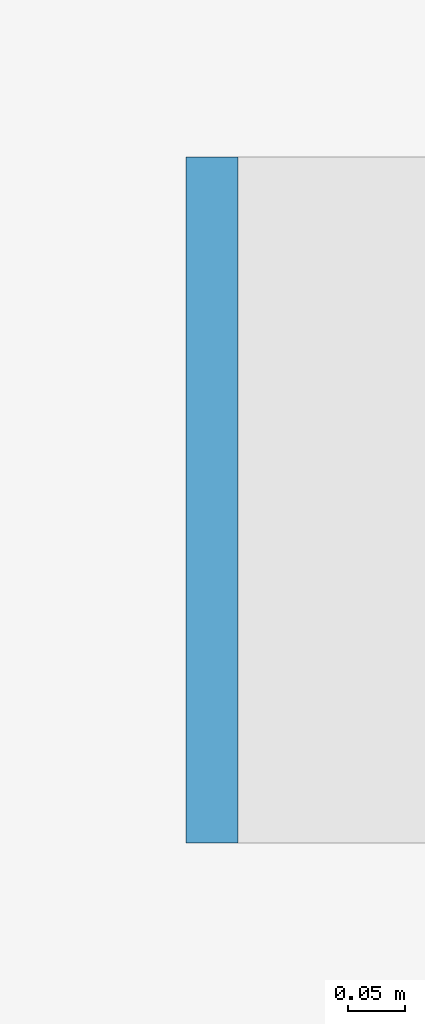
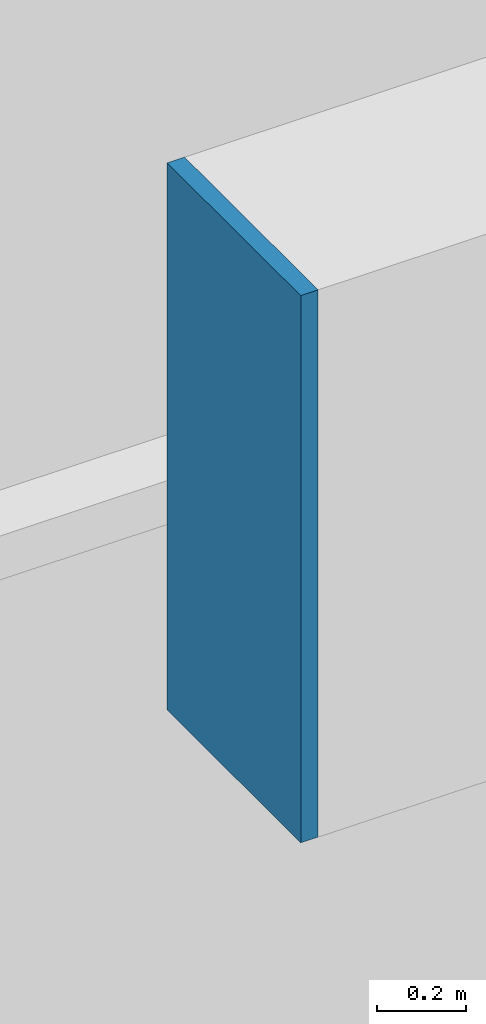
# One storey, part 22 of 33: 1 discrete accessory.
"""IFC4 building model written with IfcOpenShell, lengths in metres."""

import ifcopenshell
import ifcopenshell.guid

model = None  # the IFC model being written
_history = None  # IfcOwnerHistory: only IFC2X3 demands one
_inside = {}  # id of a spatial element -> (the spatial element, [elements in it])
_under = {}  # id of a project, library or spatial element -> (it, [spatial elements below it])
_declared = {}  # id of a project -> (the project, [libraries it declares])
_typed = {}  # id of a type object -> (the type object, [elements of that type])
_made_of = {}  # id of a material, layer set ... -> (it, [elements and type objects made of it])


def new_model(schema):
    """Start an empty IFC model of exactly this schema.

    Asked for "IFC4X3", IfcOpenShell would pick the latest addendum, in which some entities
    have other attributes; the version numbers below select the first issue.
    IFC2X3 requires an IfcOwnerHistory on every rooted entity: one is made here for all.
    """
    global model, _history
    if schema == "IFC4X3":
        model = ifcopenshell.file(schema_version=(4, 3, 0, 0))
    else:
        model = ifcopenshell.file(schema=schema)
    _inside.clear()
    _under.clear()
    _declared.clear()
    _typed.clear()
    _made_of.clear()
    _history = None
    if model.schema == "IFC2X3":
        org = make("IfcOrganization", Name="unknown")
        user = make(
            "IfcPersonAndOrganization",
            ThePerson=make("IfcPerson", FamilyName="unknown"),
            TheOrganization=org,
        )
        app = make(
            "IfcApplication",
            ApplicationDeveloper=org,
            Version="unknown",
            ApplicationFullName="unknown",
            ApplicationIdentifier="unknown",
        )
        _history = make(
            "IfcOwnerHistory",
            OwningUser=user,
            OwningApplication=app,
            ChangeAction="ADDED",
            CreationDate=0,
        )
    return model


def make(cls, **values):
    """One entity of the class cls with the attributes given. An attribute that is None is left unset."""
    return model.create_entity(
        cls, **{name: value for name, value in values.items() if value is not None}
    )


def rooted(cls, **values):
    """An entity with a GlobalId (a new one), such as an element, a storey or a relation."""
    return make(cls, GlobalId=ifcopenshell.guid.new(), OwnerHistory=_history, **values)


def si_unit(unit_type, name, prefix=None):
    """IfcSIUnit, for example si_unit("LENGTHUNIT", "METRE", prefix="MILLI")."""
    return make("IfcSIUnit", UnitType=unit_type, Prefix=prefix, Name=name)


def assignment(units):
    """IfcUnitAssignment: the units of a project."""
    return None if units is None else make("IfcUnitAssignment", Units=units)


def point(xyz):
    """IfcCartesianPoint."""
    return None if xyz is None else make("IfcCartesianPoint", Coordinates=xyz)


def direction(xyz):
    """IfcDirection."""
    return None if xyz is None else make("IfcDirection", DirectionRatios=xyz)


def frame(location, z_axis=None, x_axis=None):
    """IfcAxis2Placement3D, a coordinate frame: its origin and axes. An axis left out is left unset."""
    return make(
        "IfcAxis2Placement3D",
        Location=point(location),
        Axis=direction(z_axis),
        RefDirection=direction(x_axis),
    )


def frame_2d(location, x_axis=None):
    """IfcAxis2Placement2D, a coordinate frame in the plane: its origin and x axis."""
    return make(
        "IfcAxis2Placement2D", Location=point(location), RefDirection=direction(x_axis)
    )


def origin():
    """The frame at (0, 0, 0) with its axes left unset."""
    return frame((0.0, 0.0, 0.0))


def origin_2d():
    """The frame at (0, 0) in the plane with its x axis left unset."""
    return frame_2d((0.0, 0.0))


def place(relative_to, where):
    """IfcLocalPlacement: puts the frame where relative to a parent placement (None: the world)."""
    return make(
        "IfcLocalPlacement", PlacementRelTo=relative_to, RelativePlacement=where
    )


def context(
    kind, dimensions, precision=None, world=None, true_north=None, identifier=None
):
    """IfcGeometricRepresentationContext, for example the 3D "Model" context."""
    return make(
        "IfcGeometricRepresentationContext",
        ContextIdentifier=identifier,
        ContextType=kind,
        CoordinateSpaceDimension=dimensions,
        Precision=precision,
        WorldCoordinateSystem=world,
        TrueNorth=true_north,
    )


def subcontext(parent, identifier, kind, view, scale=None):
    """IfcGeometricRepresentationSubContext, for example "Body" below "Model"."""
    return make(
        "IfcGeometricRepresentationSubContext",
        ContextIdentifier=identifier,
        ContextType=kind,
        ParentContext=parent,
        TargetScale=scale,
        TargetView=view,
    )


def project(units=None, contexts=None):
    """IfcProject with its units and contexts."""
    return rooted(
        "IfcProject",
        Name="project",
        RepresentationContexts=contexts,
        UnitsInContext=assignment(units),
    )


def spatial(cls, under=None, at=None, **own):
    """A site, building, storey or space (cls), placed at a placement, below another one or the project."""
    s = rooted(cls, ObjectPlacement=at, **own)
    if under is not None:
        _under.setdefault(under.id(), (under, []))[1].append(s)
    return s


def profile(cls, at=None, kind="AREA", **sizes):
    """A parametric profile (cls). Its sizes go by their IFC names, for example OverallWidth=200.0."""
    return make(cls, ProfileType=kind, Position=at, **sizes)


def rectangle(**sizes):
    """IfcRectangleProfileDef."""
    return profile("IfcRectangleProfileDef", **sizes)


def extrude(swept, where, along, depth):
    """IfcExtrudedAreaSolid: the profile swept, set in the frame where, extruded along a direction by depth."""
    return make(
        "IfcExtrudedAreaSolid",
        SweptArea=swept,
        Position=where,
        ExtrudedDirection=direction(along),
        Depth=depth,
    )


def shape(context_of_items, identifier, shape_type, items):
    """IfcShapeRepresentation: the items that make up one representation, for example the "Body"."""
    return make(
        "IfcShapeRepresentation",
        ContextOfItems=context_of_items,
        RepresentationIdentifier=identifier,
        RepresentationType=shape_type,
        Items=items,
    )


def material(Name=None, Category=None):
    """IfcMaterial."""
    return make("IfcMaterial", Name=Name, Category=Category)


def material_profile(
    of_material, cross_section, Name=None, Category=None, Priority=None
):
    """IfcMaterialProfile: a cross section and its material."""
    return make(
        "IfcMaterialProfile",
        Name=Name,
        Material=of_material,
        Profile=cross_section,
        Priority=Priority,
        Category=Category,
    )


def profile_set(profiles, Name=None, composite=None):
    """IfcMaterialProfileSet."""
    return make(
        "IfcMaterialProfileSet",
        Name=Name,
        MaterialProfiles=profiles,
        CompositeProfile=composite,
    )


def made_of(thing, what):
    """Note that an element or type object is made of a material, layer set ...; save() writes the relation."""
    if what is not None:
        _made_of.setdefault(what.id(), (what, []))[1].append(thing)
    return thing


def type_object(cls, material=None, **own):
    """A type object (cls), such as IfcWallType, which elements share."""
    return made_of(rooted(cls, **own), material)


def element(
    cls,
    number,
    at=None,
    inside=None,
    cuts=None,
    type_object=None,
    material=None,
    context=None,
    identifier="Body",
    shape_type=None,
    held_by="IfcProductDefinitionShape",
    body=None,
    shapes=None,
    **own,
):
    """One element of the class cls, such as IfcWall. Its Tag is "e" and its number.

    at: its placement. inside: the storey or other place that contains it. cuts: it is an
    opening in that element (IfcRelVoidsElement). A single representation is given by context,
    identifier, shape_type and body (its items); several are given by shapes. held_by: the class
    of the entity that holds the representations. save() writes the other relations.
    """
    e = rooted(cls, Tag="e%d" % number, ObjectPlacement=at, **own)
    if body is not None:
        shapes = [shape(context, identifier, shape_type, body)]
    if shapes is not None:
        e.Representation = make(held_by, Representations=shapes)
    if inside is not None:
        _inside.setdefault(inside.id(), (inside, []))[1].append(e)
    if cuts is not None:
        rooted(
            "IfcRelVoidsElement", RelatingBuildingElement=cuts, RelatedOpeningElement=e
        )
    if type_object is not None:
        _typed.setdefault(type_object.id(), (type_object, []))[1].append(e)
    return made_of(e, material)


def aggregate(whole, parts):
    """IfcRelAggregates: a whole, such as a stair, and the parts it consists of."""
    return rooted("IfcRelAggregates", RelatingObject=whole, RelatedObjects=parts)


def save(model, path):
    """Write the relations noted so far, then the file.

    IfcRelAggregates (storeys below a building ...), IfcRelContainedInSpatialStructure (elements
    in a storey), IfcRelDefinesByType, IfcRelAssociatesMaterial and IfcRelDeclares: one each for
    every whole, place, type object, material and project.
    """
    for whole, parts in _under.values():
        aggregate(whole, parts)
    for where, things in _inside.values():
        rooted(
            "IfcRelContainedInSpatialStructure",
            RelatedElements=things,
            RelatingStructure=where,
        )
    for kind, things in _typed.values():
        rooted("IfcRelDefinesByType", RelatedObjects=things, RelatingType=kind)
    for what, things in _made_of.values():
        rooted("IfcRelAssociatesMaterial", RelatedObjects=things, RelatingMaterial=what)
    for by, libraries in _declared.values():
        rooted("IfcRelDeclares", RelatingContext=by, RelatedDefinitions=libraries)
    model.write(path)


model = new_model("IFC4")

# Units and contexts
model_context = context("Model", 3, precision=1e-05, world=origin(), true_north=direction((0.0, 1.0)))
body_context = subcontext(model_context, "Body", "Model", "MODEL_VIEW")
ifc_project = project(units=[si_unit("LENGTHUNIT", "METRE"), si_unit("AREAUNIT", "SQUARE_METRE"), si_unit("VOLUMEUNIT", "CUBIC_METRE"), si_unit("PLANEANGLEUNIT", "RADIAN"), si_unit("MASSUNIT", "GRAM", prefix="KILO")], contexts=[model_context])

# Site, building, storey
site_placement = place(None, origin())
site = spatial("IfcSite", under=ifc_project, at=site_placement, CompositionType="ELEMENT")
building_placement = place(site_placement, origin())
building = spatial("IfcBuilding", under=site, at=building_placement, Name="Hakoniwa Tower and Hamabe Station Hall", CompositionType="ELEMENT")
storey_placement = place(building_placement, frame((0.0, 0.0, 175.800048828125)))
storey = spatial("IfcBuildingStorey", under=building, at=storey_placement, Name="L50", CompositionType="ELEMENT", Elevation=175.800048828125)

# Discrete accessory
ifc_material = material(Name="Steel SN490C", Category="steel")
ifc_material_profile = material_profile(ifc_material, rectangle(XDim=0.60009765625, YDim=1.5, at=origin_2d()), Name="END CAP PLATE BX-1500x600x55")
ifc_profile_set = profile_set([ifc_material_profile], Name="Steel SN490C")
discrete_accessory_type = type_object("IfcDiscreteAccessoryType", Name="END CAP PLATE BX-1500x600x55", PredefinedType="USERDEFINED", material=ifc_profile_set)
discrete_accessory_placement = place(storey_placement, frame((-36.923095703125, 18.72802734375, 3.349853515625), z_axis=(1.0, 0.0, 0.0), x_axis=(0.0, 1.0, 0.0)))
element("IfcDiscreteAccessory", 1, at=discrete_accessory_placement, inside=storey, type_object=discrete_accessory_type, Name="End cap plate L50-XG7", ObjectType="END CAP PLATE", PredefinedType="USERDEFINED", context=body_context, shape_type="SweptSolid", body=[
    extrude(rectangle(XDim=0.60009765625, YDim=1.5, at=origin_2d()), origin(), (0.0, 0.0, 1.0), 0.045166015625),
])

save(model, "model.ifc")
